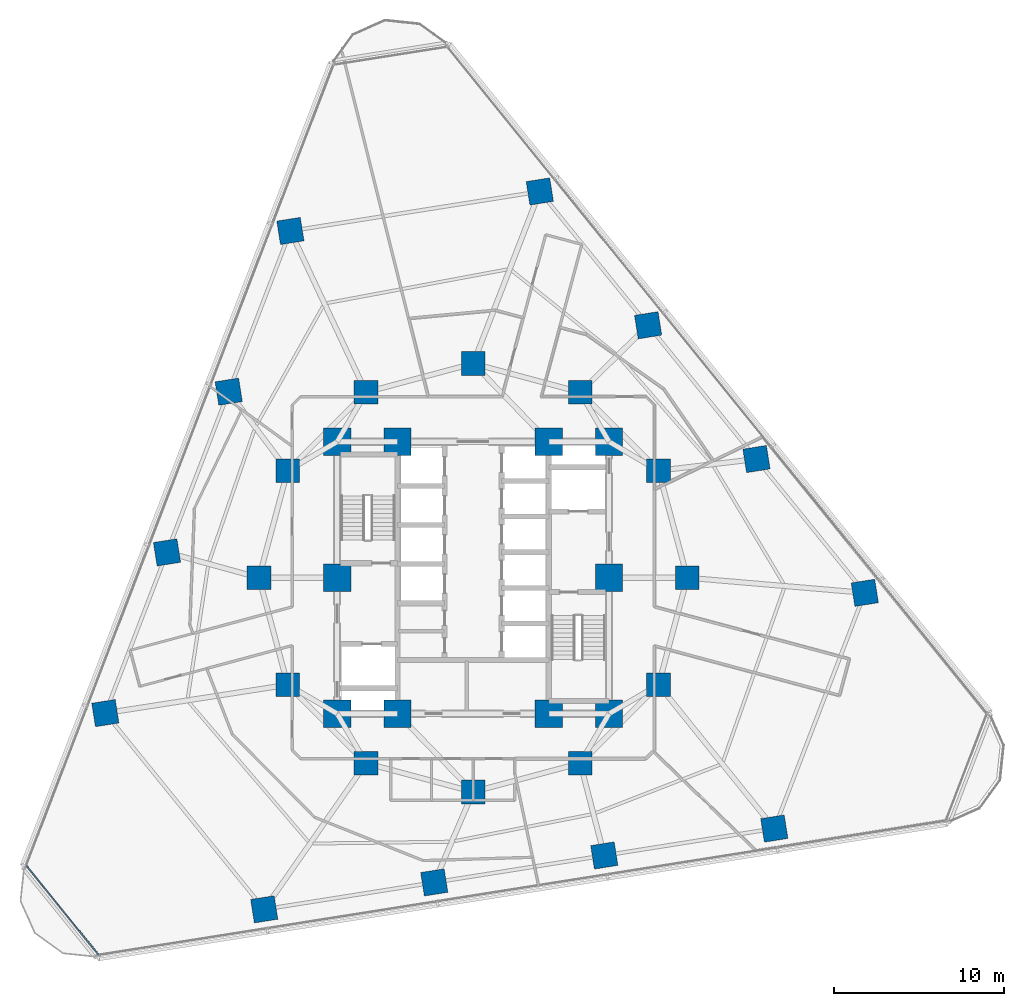
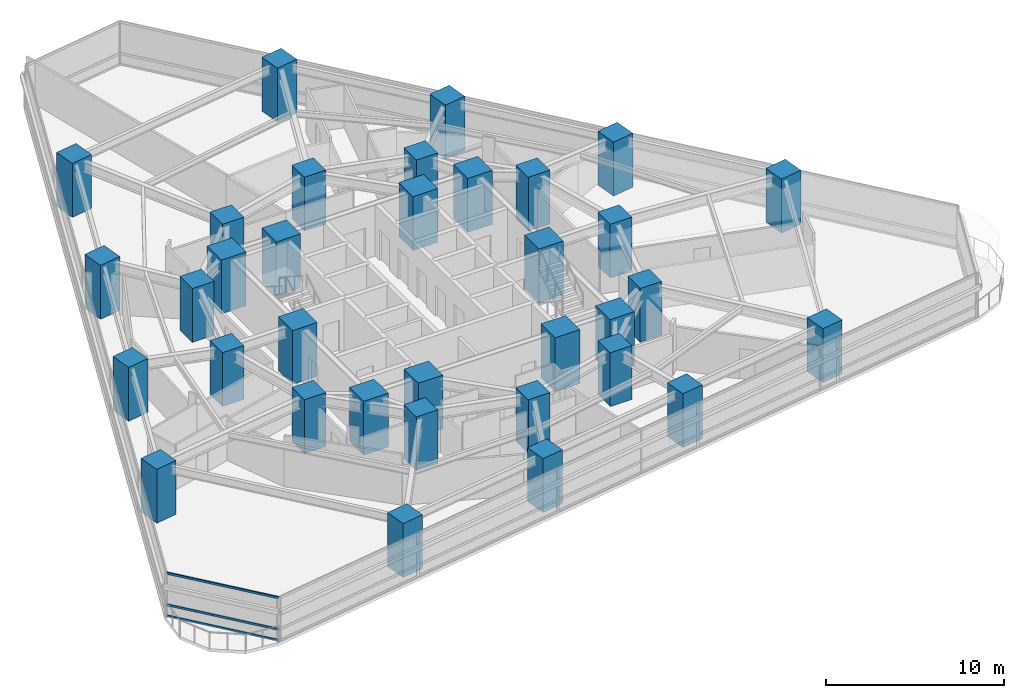
# One storey, part 1 of 14: 34 columns, 3 members, 1 element without a shape of its own.
"""IFC4 building model written with IfcOpenShell, lengths in metres."""

import ifcopenshell
import ifcopenshell.guid

model = None  # the IFC model being written
_history = None  # IfcOwnerHistory: only IFC2X3 demands one
_inside = {}  # id of a spatial element -> (the spatial element, [elements in it])
_under = {}  # id of a project, library or spatial element -> (it, [spatial elements below it])
_declared = {}  # id of a project -> (the project, [libraries it declares])
_typed = {}  # id of a type object -> (the type object, [elements of that type])
_made_of = {}  # id of a material, layer set ... -> (it, [elements and type objects made of it])


def new_model(schema):
    """Start an empty IFC model of exactly this schema.

    Asked for "IFC4X3", IfcOpenShell would pick the latest addendum, in which some entities
    have other attributes; the version numbers below select the first issue.
    IFC2X3 requires an IfcOwnerHistory on every rooted entity: one is made here for all.
    """
    global model, _history
    if schema == "IFC4X3":
        model = ifcopenshell.file(schema_version=(4, 3, 0, 0))
    else:
        model = ifcopenshell.file(schema=schema)
    _inside.clear()
    _under.clear()
    _declared.clear()
    _typed.clear()
    _made_of.clear()
    _history = None
    if model.schema == "IFC2X3":
        org = make("IfcOrganization", Name="unknown")
        user = make(
            "IfcPersonAndOrganization",
            ThePerson=make("IfcPerson", FamilyName="unknown"),
            TheOrganization=org,
        )
        app = make(
            "IfcApplication",
            ApplicationDeveloper=org,
            Version="unknown",
            ApplicationFullName="unknown",
            ApplicationIdentifier="unknown",
        )
        _history = make(
            "IfcOwnerHistory",
            OwningUser=user,
            OwningApplication=app,
            ChangeAction="ADDED",
            CreationDate=0,
        )
    return model


def make(cls, **values):
    """One entity of the class cls with the attributes given. An attribute that is None is left unset."""
    return model.create_entity(
        cls, **{name: value for name, value in values.items() if value is not None}
    )


def rooted(cls, **values):
    """An entity with a GlobalId (a new one), such as an element, a storey or a relation."""
    return make(cls, GlobalId=ifcopenshell.guid.new(), OwnerHistory=_history, **values)


def si_unit(unit_type, name, prefix=None):
    """IfcSIUnit, for example si_unit("LENGTHUNIT", "METRE", prefix="MILLI")."""
    return make("IfcSIUnit", UnitType=unit_type, Prefix=prefix, Name=name)


def assignment(units):
    """IfcUnitAssignment: the units of a project."""
    return None if units is None else make("IfcUnitAssignment", Units=units)


def point(xyz):
    """IfcCartesianPoint."""
    return None if xyz is None else make("IfcCartesianPoint", Coordinates=xyz)


def direction(xyz):
    """IfcDirection."""
    return None if xyz is None else make("IfcDirection", DirectionRatios=xyz)


def frame(location, z_axis=None, x_axis=None):
    """IfcAxis2Placement3D, a coordinate frame: its origin and axes. An axis left out is left unset."""
    return make(
        "IfcAxis2Placement3D",
        Location=point(location),
        Axis=direction(z_axis),
        RefDirection=direction(x_axis),
    )


def frame_2d(location, x_axis=None):
    """IfcAxis2Placement2D, a coordinate frame in the plane: its origin and x axis."""
    return make(
        "IfcAxis2Placement2D", Location=point(location), RefDirection=direction(x_axis)
    )


def origin():
    """The frame at (0, 0, 0) with its axes left unset."""
    return frame((0.0, 0.0, 0.0))


def origin_2d():
    """The frame at (0, 0) in the plane with its x axis left unset."""
    return frame_2d((0.0, 0.0))


def place(relative_to, where):
    """IfcLocalPlacement: puts the frame where relative to a parent placement (None: the world)."""
    return make(
        "IfcLocalPlacement", PlacementRelTo=relative_to, RelativePlacement=where
    )


def context(
    kind, dimensions, precision=None, world=None, true_north=None, identifier=None
):
    """IfcGeometricRepresentationContext, for example the 3D "Model" context."""
    return make(
        "IfcGeometricRepresentationContext",
        ContextIdentifier=identifier,
        ContextType=kind,
        CoordinateSpaceDimension=dimensions,
        Precision=precision,
        WorldCoordinateSystem=world,
        TrueNorth=true_north,
    )


def subcontext(parent, identifier, kind, view, scale=None):
    """IfcGeometricRepresentationSubContext, for example "Body" below "Model"."""
    return make(
        "IfcGeometricRepresentationSubContext",
        ContextIdentifier=identifier,
        ContextType=kind,
        ParentContext=parent,
        TargetScale=scale,
        TargetView=view,
    )


def project(units=None, contexts=None):
    """IfcProject with its units and contexts."""
    return rooted(
        "IfcProject",
        Name="project",
        RepresentationContexts=contexts,
        UnitsInContext=assignment(units),
    )


def spatial(cls, under=None, at=None, **own):
    """A site, building, storey or space (cls), placed at a placement, below another one or the project."""
    s = rooted(cls, ObjectPlacement=at, **own)
    if under is not None:
        _under.setdefault(under.id(), (under, []))[1].append(s)
    return s


def profile(cls, at=None, kind="AREA", **sizes):
    """A parametric profile (cls). Its sizes go by their IFC names, for example OverallWidth=200.0."""
    return make(cls, ProfileType=kind, Position=at, **sizes)


def rectangle(**sizes):
    """IfcRectangleProfileDef."""
    return profile("IfcRectangleProfileDef", **sizes)


def extrude(swept, where, along, depth):
    """IfcExtrudedAreaSolid: the profile swept, set in the frame where, extruded along a direction by depth."""
    return make(
        "IfcExtrudedAreaSolid",
        SweptArea=swept,
        Position=where,
        ExtrudedDirection=direction(along),
        Depth=depth,
    )


def shape(context_of_items, identifier, shape_type, items):
    """IfcShapeRepresentation: the items that make up one representation, for example the "Body"."""
    return make(
        "IfcShapeRepresentation",
        ContextOfItems=context_of_items,
        RepresentationIdentifier=identifier,
        RepresentationType=shape_type,
        Items=items,
    )


def material(Name=None, Category=None):
    """IfcMaterial."""
    return make("IfcMaterial", Name=Name, Category=Category)


def layer(
    of_material, thickness, ventilated=None, Name=None, Category=None, Priority=None
):
    """IfcMaterialLayer: one layer of a wall or slab, of a material (None: an air gap)."""
    return make(
        "IfcMaterialLayer",
        Material=of_material,
        LayerThickness=thickness,
        IsVentilated=ventilated,
        Name=Name,
        Category=Category,
        Priority=Priority,
    )


def layer_set(layers, Name=None):
    """IfcMaterialLayerSet."""
    return make("IfcMaterialLayerSet", MaterialLayers=layers, LayerSetName=Name)


def material_profile(
    of_material, cross_section, Name=None, Category=None, Priority=None
):
    """IfcMaterialProfile: a cross section and its material."""
    return make(
        "IfcMaterialProfile",
        Name=Name,
        Material=of_material,
        Profile=cross_section,
        Priority=Priority,
        Category=Category,
    )


def profile_set(profiles, Name=None, composite=None):
    """IfcMaterialProfileSet."""
    return make(
        "IfcMaterialProfileSet",
        Name=Name,
        MaterialProfiles=profiles,
        CompositeProfile=composite,
    )


def made_of(thing, what):
    """Note that an element or type object is made of a material, layer set ...; save() writes the relation."""
    if what is not None:
        _made_of.setdefault(what.id(), (what, []))[1].append(thing)
    return thing


def type_object(cls, material=None, **own):
    """A type object (cls), such as IfcWallType, which elements share."""
    return made_of(rooted(cls, **own), material)


def element(
    cls,
    number,
    at=None,
    inside=None,
    cuts=None,
    type_object=None,
    material=None,
    context=None,
    identifier="Body",
    shape_type=None,
    held_by="IfcProductDefinitionShape",
    body=None,
    shapes=None,
    **own,
):
    """One element of the class cls, such as IfcWall. Its Tag is "e" and its number.

    at: its placement. inside: the storey or other place that contains it. cuts: it is an
    opening in that element (IfcRelVoidsElement). A single representation is given by context,
    identifier, shape_type and body (its items); several are given by shapes. held_by: the class
    of the entity that holds the representations. save() writes the other relations.
    """
    e = rooted(cls, Tag="e%d" % number, ObjectPlacement=at, **own)
    if body is not None:
        shapes = [shape(context, identifier, shape_type, body)]
    if shapes is not None:
        e.Representation = make(held_by, Representations=shapes)
    if inside is not None:
        _inside.setdefault(inside.id(), (inside, []))[1].append(e)
    if cuts is not None:
        rooted(
            "IfcRelVoidsElement", RelatingBuildingElement=cuts, RelatedOpeningElement=e
        )
    if type_object is not None:
        _typed.setdefault(type_object.id(), (type_object, []))[1].append(e)
    return made_of(e, material)


def aggregate(whole, parts):
    """IfcRelAggregates: a whole, such as a stair, and the parts it consists of."""
    return rooted("IfcRelAggregates", RelatingObject=whole, RelatedObjects=parts)


def save(model, path):
    """Write the relations noted so far, then the file.

    IfcRelAggregates (storeys below a building ...), IfcRelContainedInSpatialStructure (elements
    in a storey), IfcRelDefinesByType, IfcRelAssociatesMaterial and IfcRelDeclares: one each for
    every whole, place, type object, material and project.
    """
    for whole, parts in _under.values():
        aggregate(whole, parts)
    for where, things in _inside.values():
        rooted(
            "IfcRelContainedInSpatialStructure",
            RelatedElements=things,
            RelatingStructure=where,
        )
    for kind, things in _typed.values():
        rooted("IfcRelDefinesByType", RelatedObjects=things, RelatingType=kind)
    for what, things in _made_of.values():
        rooted("IfcRelAssociatesMaterial", RelatedObjects=things, RelatingMaterial=what)
    for by, libraries in _declared.values():
        rooted("IfcRelDeclares", RelatingContext=by, RelatedDefinitions=libraries)
    model.write(path)


model = new_model("IFC4")

# Units and contexts
model_context = context("Model", 3, precision=1e-05, world=origin(), true_north=direction((0.0, 1.0)))
body_context = subcontext(model_context, "Body", "Model", "MODEL_VIEW")
ifc_project = project(units=[si_unit("LENGTHUNIT", "METRE"), si_unit("AREAUNIT", "SQUARE_METRE"), si_unit("VOLUMEUNIT", "CUBIC_METRE"), si_unit("PLANEANGLEUNIT", "RADIAN"), si_unit("MASSUNIT", "GRAM", prefix="KILO")], contexts=[model_context])

# Site, building, storey
site_placement = place(None, origin())
site = spatial("IfcSite", under=ifc_project, at=site_placement, CompositionType="ELEMENT")
building_placement = place(site_placement, origin())
building = spatial("IfcBuilding", under=site, at=building_placement, Name="Terralouvre Media Tower", CompositionType="ELEMENT")
storey_placement = place(building_placement, frame((0.0, 0.0, 66.699951171875)))
storey = spatial("IfcBuildingStorey", under=building, at=storey_placement, Name="L16", CompositionType="ELEMENT", Elevation=66.699951171875)

# Columns
ifc_material_1 = material(Name="Concrete C60/75", Category="concrete")
ifc_material_profile_1 = material_profile(ifc_material_1, rectangle(XDim=1.39990234375, YDim=1.39990234375, at=origin_2d()), Name="RC 1400x1400")
ifc_profile_set_1 = profile_set([ifc_material_profile_1], Name="Concrete C60/75")
column_type_1 = type_object("IfcColumnType", Name="Structural Column C-RC1400 (RC 1400x1400)", PredefinedType="COLUMN", material=ifc_profile_set_1)
for number, where, z_axis, x_axis, name in (
    (1, (12.60009765625, 0.0, 0.0), (0.0, 0.0, 1.0), (1.0, 0.0, 0.0), "L16 Mega-Frame Column MC01"),
    (2, (10.911865234375, 6.300048828125, 0.0), (0.0, 0.0, 1.0), (1.0, 0.0, 0.0), "L16 Mega-Frame Column MC02"),
    (3, (6.300048828125, 10.911865234375, 0.0), (0.0, 0.0, 1.0), (1.0, 0.0, 0.0), "L16 Mega-Frame Column MC03"),
    (4, (0.0, 12.60009765625, 0.0), (0.0, 0.0, 1.0), (1.0, 0.0, 0.0), "L16 Mega-Frame Column MC04"),
    (5, (-6.300048828125, 10.911865234375, 0.0), (0.0, 0.0, 1.0), (1.0, 0.0, 0.0), "L16 Mega-Frame Column MC05"),
    (6, (-10.911865234375, 6.300048828125, 0.0), (0.0, 0.0, 1.0), (1.0, 0.0, 0.0), "L16 Mega-Frame Column MC06"),
    (7, (-12.60009765625, 0.0, 0.0), (0.0, 0.0, 1.0), (1.0, 0.0, 0.0), "L16 Mega-Frame Column MC07"),
    (8, (-10.911865234375, -6.300048828125, 0.0), (0.0, 0.0, 1.0), (1.0, 0.0, 0.0), "L16 Mega-Frame Column MC08"),
    (9, (-6.300048828125, -10.911865234375, 0.0), (0.0, 0.0, 1.0), (1.0, 0.0, 0.0), "L16 Mega-Frame Column MC09"),
    (10, (0.0, -12.60009765625, 0.0), (0.0, 0.0, 1.0), (1.0, 0.0, 0.0), "L16 Mega-Frame Column MC10"),
    (11, (6.300048828125, -10.911865234375, 0.0), (0.0, 0.0, 1.0), (1.0, 0.0, 0.0), "L16 Mega-Frame Column MC11"),
    (12, (10.911865234375, -6.300048828125, 0.0), (0.0, 0.0, 1.0), (1.0, 0.0, 0.0), "L16 Mega-Frame Column MC12"),
    (13, (-12.291015625, -19.511474609375, 0.0), (0.0, 0.0, 1.0), (0.987688340595, 0.15643446504, 0.0), "L16 Perimeter Mega-Column PC11"),
    (14, (-2.287841796875, -17.927001953125, 0.0), (0.0, 0.0, 1.0), (0.987688340595, 0.15643446504, 0.0), "L16 Perimeter Mega-Column PC12"),
    (15, (7.715576171875, -16.3427734375, 0.0), (0.0, 0.0, 1.0), (0.987688340595, 0.15643446504, 0.0), "L16 Perimeter Mega-Column PC13"),
    (16, (17.71875, -14.75830078125, 0.0), (0.0, 0.0, 1.0), (0.987688340595, 0.15643446504, 0.0), "L16 Perimeter Mega-Column PC14"),
    (17, (23.04296875, -0.888671875, 0.0), (0.0, 0.0, 1.0), (0.987688340595, 0.15643446504, 0.0), "L16 Perimeter Mega-Column PC21"),
    (18, (16.669189453125, 6.982421875, 0.0), (0.0, 0.0, 1.0), (0.987688340595, 0.15643446504, 0.0), "L16 Perimeter Mega-Column PC22"),
    (19, (10.29541015625, 14.853271484375, 0.0), (0.0, 0.0, 1.0), (0.987688340595, 0.15643446504, 0.0), "L16 Perimeter Mega-Column PC23"),
    (20, (3.921630859375, 22.72412109375, 0.0), (0.0, 0.0, 1.0), (0.987688340595, 0.15643446504, 0.0), "L16 Perimeter Mega-Column PC24"),
    (21, (-10.751953125, 20.400146484375, 0.0), (0.0, 0.0, 1.0), (0.987688340595, 0.15643446504, 0.0), "L16 Perimeter Mega-Column PC31"),
    (22, (-14.38134765625, 10.94482421875, 0.0), (0.0, 0.0, 1.0), (0.987688340595, 0.15643446504, 0.0), "L16 Perimeter Mega-Column PC32"),
    (23, (-18.010986328125, 1.489501953125, 0.0), (0.0, 0.0, 1.0), (0.987688340595, 0.15643446504, 0.0), "L16 Perimeter Mega-Column PC33"),
    (24, (-21.640625, -7.9658203125, 0.0), (0.0, 0.0, 1.0), (0.987688340595, 0.15643446504, 0.0), "L16 Perimeter Mega-Column PC34"),
):
    element("IfcColumn", number, at=place(storey_placement, frame(where, z_axis=z_axis, x_axis=x_axis)), inside=storey, type_object=column_type_1, Name=name, PredefinedType="COLUMN", context=body_context, shape_type="SweptSolid", body=[
        extrude(rectangle(XDim=1.39990234375, YDim=1.39990234375, at=origin_2d()), origin(), (0.0, 0.0, 1.0), 3.699951171875),
    ])
ifc_material_2 = material(Name="Concrete C60/75", Category="concrete")
ifc_material_profile_2 = material_profile(ifc_material_2, rectangle(XDim=1.60009765625, YDim=1.60009765625, at=origin_2d()), Name="RC 1600x1600")
ifc_profile_set_2 = profile_set([ifc_material_profile_2], Name="Concrete C60/75")
column_type_2 = type_object("IfcColumnType", Name="Structural Column C-RC1600 (RC 1600x1600)", PredefinedType="COLUMN", material=ifc_profile_set_2)
for number, where, z_axis, x_axis, name in (
    (25, (-8.0, -8.0, 0.0), (0.0, 0.0, 1.0), (1.0, 0.0, 0.0), "L16 Core Pilaster Column CP1"),
    (26, (-4.449951171875, -8.0, 0.0), (0.0, 0.0, 1.0), (1.0, 0.0, 0.0), "L16 Core Pilaster Column CP2"),
    (27, (4.449951171875, -8.0, 0.0), (0.0, 0.0, 1.0), (1.0, 0.0, 0.0), "L16 Core Pilaster Column CP10"),
    (28, (8.0, -8.0, 0.0), (0.0, 0.0, 1.0), (1.0, 0.0, 0.0), "L16 Core Pilaster Column CP3"),
    (29, (8.0, 0.0, 0.0), (0.0, 0.0, 1.0), (1.0, 0.0, 0.0), "L16 Core Pilaster Column CP4"),
    (30, (8.0, 8.0, 0.0), (0.0, 0.0, 1.0), (1.0, 0.0, 0.0), "L16 Core Pilaster Column CP5"),
    (31, (4.449951171875, 8.0, 0.0), (0.0, 0.0, 1.0), (1.0, 0.0, 0.0), "L16 Core Pilaster Column CP9"),
    (32, (-4.449951171875, 8.0, 0.0), (0.0, 0.0, 1.0), (1.0, 0.0, 0.0), "L16 Core Pilaster Column CP6"),
    (33, (-8.0, 8.0, 0.0), (0.0, 0.0, 1.0), (1.0, 0.0, 0.0), "L16 Core Pilaster Column CP7"),
    (34, (-8.0, 0.0, 0.0), (0.0, 0.0, 1.0), (1.0, 0.0, 0.0), "L16 Core Pilaster Column CP8"),
):
    element("IfcColumn", number, at=place(storey_placement, frame(where, z_axis=z_axis, x_axis=x_axis)), inside=storey, type_object=column_type_2, Name=name, PredefinedType="COLUMN", context=body_context, shape_type="SweptSolid", body=[
        extrude(rectangle(XDim=1.60009765625, YDim=1.60009765625, at=origin_2d()), origin(), (0.0, 0.0, 1.0), 3.699951171875),
    ])

# Curtain wall, members
ifc_material_3 = material(Name="Low-iron laminated double glazing with solar-control coating", Category="glass")
ifc_layer = layer(ifc_material_3, 0.1650390625, Name="Rounded Wind-Corner Curved Glazing CW-04")
ifc_layer_set = layer_set([ifc_layer], Name="Low-iron laminated double glazing with solar-control coating")
curtain_wall_type = type_object("IfcCurtainWallType", Name="Rounded Wind-Corner Curved Glazing CW-04", PredefinedType="NOTDEFINED", material=ifc_layer_set)
curtain_wall_placement = place(storey_placement, origin())
curtain_wall = element("IfcCurtainWall", 35, at=curtain_wall_placement, inside=storey, type_object=curtain_wall_type, Name="L16 Rounded Wind-Corner Curtain Wall C0", PredefinedType="NOTDEFINED")
ifc_material_4 = material(Name="Anodised extruded aluminium 6063-T6", Category="aluminium")
ifc_material_profile_3 = material_profile(ifc_material_4, rectangle(XDim=0.074951171875, YDim=0.14990234375, at=origin_2d()), Name="ALU 75x150")
ifc_profile_set_3 = profile_set([ifc_material_profile_3], Name="Anodised extruded aluminium 6063-T6")
member_type = type_object("IfcMemberType", Name="Curtain-Wall Horizontal Transom TR-150", PredefinedType="USERDEFINED", material=ifc_profile_set_3)
member_1_placement = place(storey_placement, frame((-26.281005859375, -16.943359375, 0.03759765625), z_axis=(0.629324238094, -0.777142846167, 0.0), x_axis=(0.777142846167, 0.629324238094, 0.0)))
member_1 = element("IfcMember", 36, at=member_1_placement, type_object=member_type, Name="CW-04 transom 1.1", ObjectType="TRANSOM", PredefinedType="USERDEFINED", context=body_context, shape_type="SweptSolid", body=[
    extrude(rectangle(XDim=0.074951171875, YDim=0.14990234375, at=origin_2d()), origin(), (0.0, 0.0, 1.0), 6.74365234375),
])
member_2_placement = place(storey_placement, frame((-26.281005859375, -16.943359375, 0.800048828125), z_axis=(0.629324238094, -0.777142846167, 0.0), x_axis=(0.777142846167, 0.629324238094, 0.0)))
member_2 = element("IfcMember", 37, at=member_2_placement, type_object=member_type, Name="CW-04 transom 1.2", ObjectType="TRANSOM", PredefinedType="USERDEFINED", context=body_context, shape_type="SweptSolid", body=[
    extrude(rectangle(XDim=0.074951171875, YDim=0.14990234375, at=origin_2d()), origin(), (0.0, 0.0, 1.0), 6.74365234375),
])
member_3_placement = place(storey_placement, frame((-26.281005859375, -16.943359375, 2.962646484375), z_axis=(0.629324238094, -0.777142846167, 0.0), x_axis=(0.777142846167, 0.629324238094, 0.0)))
member_3 = element("IfcMember", 38, at=member_3_placement, type_object=member_type, Name="CW-04 transom 1.3", ObjectType="TRANSOM", PredefinedType="USERDEFINED", context=body_context, shape_type="SweptSolid", body=[
    extrude(rectangle(XDim=0.074951171875, YDim=0.14990234375, at=origin_2d()), origin(), (0.0, 0.0, 1.0), 6.74365234375),
])
aggregate(curtain_wall, [member_1, member_2, member_3])

save(model, "model.ifc")
